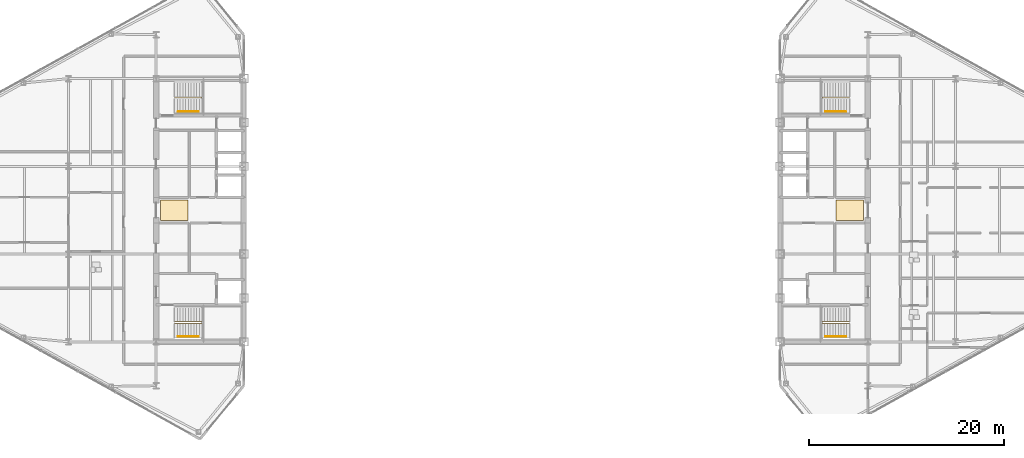
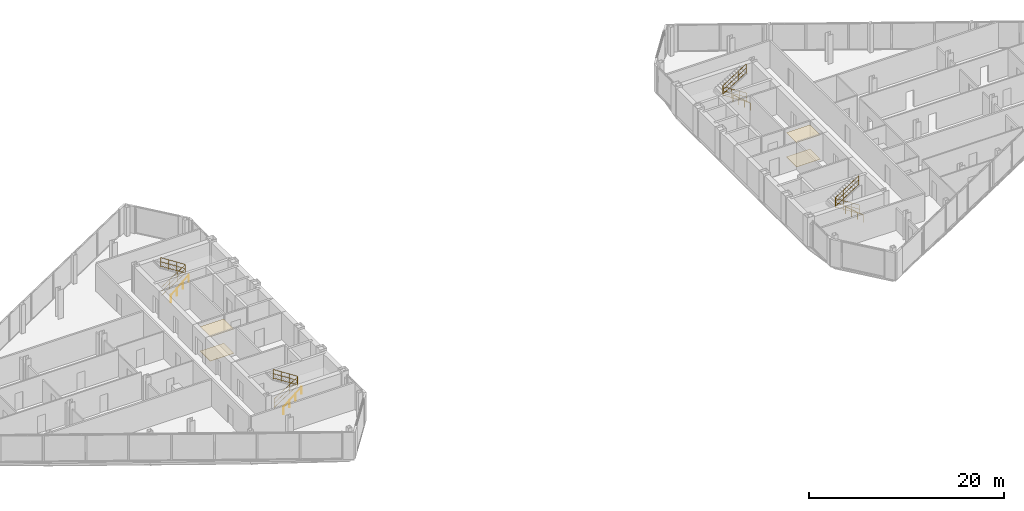
# One storey, part 25 of 26: 8 railings, 4 coverings.
"""IFC4 building model written with IfcOpenShell, lengths in metres."""

from ifc_helpers import new_model, si_unit, direction, frame, origin, origin_2d, place, context, subcontext, project, spatial, polyline, circle, outline, extrude, material, layer, layer_set, type_object, element, save


model = new_model("IFC4")

# Units and contexts
model_context = context("Model", 3, precision=1e-05, world=origin(), true_north=direction((0.0, 1.0)))
body_context = subcontext(model_context, "Body", "Model", "MODEL_VIEW")
ifc_project = project(units=[si_unit("LENGTHUNIT", "METRE"), si_unit("AREAUNIT", "SQUARE_METRE"), si_unit("VOLUMEUNIT", "CUBIC_METRE"), si_unit("PLANEANGLEUNIT", "RADIAN"), si_unit("MASSUNIT", "GRAM", prefix="KILO")], contexts=[model_context])

# Site, building, storey
site_placement = place(None, origin())
site = spatial("IfcSite", under=ifc_project, at=site_placement, CompositionType="ELEMENT")
building_placement = place(site_placement, origin())
building = spatial("IfcBuilding", under=site, at=building_placement, Name="Seokmaru Belvedere", CompositionType="ELEMENT")
storey_placement = place(building_placement, frame((0.0, 0.0, 174.300048828125)))
storey = spatial("IfcBuildingStorey", under=building, at=storey_placement, Name="L46", CompositionType="ELEMENT", Elevation=174.300048828125)

# Coverings
ifc_material_1 = material(Name="Engineered White Oak Timber", Category="wood")
ifc_layer_1 = layer(ifc_material_1, 0.02197265625)
ifc_layer_set_1 = layer_set([ifc_layer_1], Name="Engineered White Oak Timber")
covering_type_1 = type_object("IfcCoveringType", Name="Engineered Oak Residence Floor Finish 22", PredefinedType="FLOORING", material=ifc_layer_set_1)
covering_1_placement = place(storey_placement, origin())
element("IfcCovering", 1, at=covering_1_placement, inside=storey, type_object=covering_type_1, Name="L46 W Foyer Floor Finish", PredefinedType="FLOORING", context=body_context, shape_type="SweptSolid", body=[
    extrude(outline(polyline([(-36.050048828125, -1.050048828125), (-33.25, -1.050048828125), (-33.25, 1.050048828125), (-36.050048828125, 1.050048828125), (-36.050048828125, -1.050048828125)])), origin(), (0.0, 0.0, 1.0), 0.02197265625),
])
covering_2_placement = place(storey_placement, origin())
element("IfcCovering", 2, at=covering_2_placement, inside=storey, type_object=covering_type_1, Name="L46 E Foyer Floor Finish", PredefinedType="FLOORING", context=body_context, shape_type="SweptSolid", body=[
    extrude(outline(polyline([(33.25, -1.050048828125), (36.050048828125, -1.050048828125), (36.050048828125, 1.050048828125), (33.25, 1.050048828125), (33.25, -1.050048828125)])), origin(), (0.0, 0.0, 1.0), 0.02197265625),
])
ifc_material_2 = material(Name="Fire-Rated Gypsum Shaftwall")
ifc_layer_2 = layer(ifc_material_2, 0.02490234375)
ifc_layer_set_2 = layer_set([ifc_layer_2], Name="Fire-Rated Gypsum Shaftwall")
covering_type_2 = type_object("IfcCoveringType", Name="Perforated Acoustic Gypsum Suspended Ceiling 25", PredefinedType="CEILING", material=ifc_layer_set_2)
covering_3_placement = place(storey_placement, frame((0.0, 0.0, 3.030029296875)))
element("IfcCovering", 3, at=covering_3_placement, inside=storey, type_object=covering_type_2, Name="L46 W Lift Foyer Acoustic Ceiling", PredefinedType="CEILING", context=body_context, shape_type="SweptSolid", body=[
    extrude(outline(polyline([(-36.050048828125, -1.050048828125), (-33.25, -1.050048828125), (-33.25, 1.050048828125), (-36.050048828125, 1.050048828125), (-36.050048828125, -1.050048828125)])), origin(), (0.0, 0.0, 1.0), 0.02490234375),
])
covering_4_placement = place(storey_placement, frame((0.0, 0.0, 3.030029296875)))
element("IfcCovering", 4, at=covering_4_placement, inside=storey, type_object=covering_type_2, Name="L46 E Lift Foyer Acoustic Ceiling", PredefinedType="CEILING", context=body_context, shape_type="SweptSolid", body=[
    extrude(outline(polyline([(33.25, -1.050048828125), (36.050048828125, -1.050048828125), (36.050048828125, 1.050048828125), (33.25, 1.050048828125), (33.25, -1.050048828125)])), origin(), (0.0, 0.0, 1.0), 0.02490234375),
])

# Railings
ifc_material_3 = material(Name="Stainless Steel 316", Category="steel")
railing_type_1 = type_object("IfcRailingType", Name="Stainless Steel Wall and Flight Handrail 900", PredefinedType="HANDRAIL", material=ifc_material_3)
for number, where, name in (
    (5, (-34.25, -12.949951171875, 0.0), "L46 Stair ST-W1 Wall Handrail"),
    (6, (-34.25, 10.110107421875, 0.0), "L46 Stair ST-W2 Wall Handrail"),
):
    element("IfcRailing", number, at=place(storey_placement, frame(where)), inside=storey, type_object=railing_type_1, Name=name, PredefinedType="HANDRAIL", context=body_context, shape_type="SweptSolid", body=[
        extrude(circle(Radius=0.02392578125, at=origin_2d()), frame((0.0, 0.0, 0.8759765625), z_axis=(0.759262832861, 0.0, 0.650784104474), x_axis=(0.0, 1.0, 0.0)), (0.0, 0.0, 1.0), 2.765869140625),
        extrude(circle(Radius=0.02099609375, at=origin_2d()), origin(), (0.0, 0.0, 1.0), 0.851806640625),
        extrude(circle(Radius=0.02099609375, at=origin_2d()), frame((0.699951171875, 0.0, 0.60009765625)), (0.0, 0.0, 1.0), 0.851806640625),
        extrude(circle(Radius=0.02099609375, at=origin_2d()), frame((1.400146484375, 0.0, 1.199951171875)), (0.0, 0.0, 1.0), 0.851806640625),
        extrude(circle(Radius=0.02099609375, at=origin_2d()), frame((2.10009765625, 0.0, 1.800048828125)), (0.0, 0.0, 1.0), 0.851806640625),
    ])
for number, where, name in (
    (7, (34.25, -12.949951171875, 0.0), "L46 Stair ST-E1 Wall Handrail"),
    (8, (34.25, 10.110107421875, 0.0), "L46 Stair ST-E2 Wall Handrail"),
):
    element("IfcRailing", number, at=place(storey_placement, frame(where)), inside=storey, type_object=railing_type_1, Name=name, PredefinedType="HANDRAIL", context=body_context, shape_type="SweptSolid", body=[
        extrude(circle(Radius=0.02392578125, at=origin_2d()), frame((0.0, 0.0, 0.8759765625), z_axis=(-0.759262832861, 0.0, 0.650784104474), x_axis=(0.0, -1.0, 0.0)), (0.0, 0.0, 1.0), 2.765869140625),
        extrude(circle(Radius=0.02099609375, at=origin_2d()), origin(), (0.0, 0.0, 1.0), 0.851806640625),
        extrude(circle(Radius=0.02099609375, at=origin_2d()), frame((-0.699951171875, 0.0, 0.60009765625)), (0.0, 0.0, 1.0), 0.851806640625),
        extrude(circle(Radius=0.02099609375, at=origin_2d()), frame((-1.400146484375, 0.0, 1.199951171875)), (0.0, 0.0, 1.0), 0.851806640625),
        extrude(circle(Radius=0.02099609375, at=origin_2d()), frame((-2.10009765625, 0.0, 1.800048828125)), (0.0, 0.0, 1.0), 0.851806640625),
    ])
railing_type_2 = type_object("IfcRailingType", Name="Stair Well and Atrium Steel Guardrail 1200", PredefinedType="GUARDRAIL", material=ifc_material_3)
railing_1_placement = place(storey_placement, frame((-34.60009765625, -11.60009765625, 0.0)))
element("IfcRailing", 9, at=railing_1_placement, inside=storey, type_object=railing_type_2, Name="L46 Stair ST-W1 Inner Well Guardrail", PredefinedType="GUARDRAIL", context=body_context, shape_type="SweptSolid", body=[
    extrude(circle(Radius=0.02392578125, at=origin_2d()), frame((0.0, 0.0, 1.17578125), z_axis=(0.841176092368, 0.0, 0.540761298198), x_axis=(0.0, 1.0, 0.0)), (0.0, 0.0, 1.0), 3.32861328125),
    extrude(circle(Radius=0.02392578125, at=origin_2d()), frame((0.0, 0.0, 0.1201171875), z_axis=(0.841176092368, 0.0, 0.540761298198), x_axis=(0.0, 1.0, 0.0)), (0.0, 0.0, 1.0), 3.32861328125),
    extrude(circle(Radius=0.02392578125, at=origin_2d()), frame((0.0, 0.0, 0.659912109375), z_axis=(0.841176092368, 0.0, 0.540761298198), x_axis=(0.0, 1.0, 0.0)), (0.0, 0.0, 1.0), 3.32861328125),
    extrude(circle(Radius=0.02392578125, at=origin_2d()), frame((2.800048828125, 0.0, 2.97607421875), z_axis=(0.0, 1.0, 0.0), x_axis=(-1.0, 0.0, 0.0)), (0.0, 0.0, 1.0), 0.14013671875),
    extrude(circle(Radius=0.02392578125, at=origin_2d()), frame((2.800048828125, 0.0, 1.920166015625), z_axis=(0.0, 1.0, 0.0), x_axis=(-1.0, 0.0, 0.0)), (0.0, 0.0, 1.0), 0.14013671875),
    extrude(circle(Radius=0.02392578125, at=origin_2d()), frame((2.800048828125, 0.0, 2.4599609375), z_axis=(0.0, 1.0, 0.0), x_axis=(-1.0, 0.0, 0.0)), (0.0, 0.0, 1.0), 0.14013671875),
    extrude(circle(Radius=0.02392578125, at=origin_2d()), frame((2.800048828125, 0.14013671875, 2.97607421875), z_axis=(-0.841209454229, 0.0, 0.540709398952), x_axis=(0.0, -1.0, 0.0)), (0.0, 0.0, 1.0), 3.32861328125),
    extrude(circle(Radius=0.02392578125, at=origin_2d()), frame((2.800048828125, 0.14013671875, 1.920166015625), z_axis=(-0.841209454229, 0.0, 0.540709398952), x_axis=(0.0, -1.0, 0.0)), (0.0, 0.0, 1.0), 3.32861328125),
    extrude(circle(Radius=0.02392578125, at=origin_2d()), frame((2.800048828125, 0.14013671875, 2.4599609375), z_axis=(-0.841209454229, 0.0, 0.540709398952), x_axis=(0.0, -1.0, 0.0)), (0.0, 0.0, 1.0), 3.32861328125),
    extrude(circle(Radius=0.02099609375, at=origin_2d()), origin(), (0.0, 0.0, 1.0), 1.15185546875),
    extrude(circle(Radius=0.02099609375, at=origin_2d()), frame((0.933349609375, 0.0, 0.60009765625)), (0.0, 0.0, 1.0), 1.15185546875),
    extrude(circle(Radius=0.02099609375, at=origin_2d()), frame((1.86669921875, 0.0, 1.199951171875)), (0.0, 0.0, 1.0), 1.15185546875),
    extrude(circle(Radius=0.02099609375, at=origin_2d()), frame((2.800048828125, 0.0, 1.800048828125)), (0.0, 0.0, 1.0), 1.15185546875),
    extrude(circle(Radius=0.02099609375, at=origin_2d()), frame((2.800048828125, 0.14013671875, 1.800048828125)), (0.0, 0.0, 1.0), 1.15185546875),
    extrude(circle(Radius=0.02099609375, at=origin_2d()), frame((1.86669921875, 0.14013671875, 2.39990234375)), (0.0, 0.0, 1.0), 1.15185546875),
    extrude(circle(Radius=0.02099609375, at=origin_2d()), frame((0.933349609375, 0.14013671875, 3.0)), (0.0, 0.0, 1.0), 1.15185546875),
    extrude(circle(Radius=0.02099609375, at=origin_2d()), frame((0.0, 0.14013671875, 3.599853515625)), (0.0, 0.0, 1.0), 1.15185546875),
])
railing_2_placement = place(storey_placement, frame((-34.60009765625, 11.4599609375, 0.0)))
element("IfcRailing", 10, at=railing_2_placement, inside=storey, type_object=railing_type_2, Name="L46 Stair ST-W2 Inner Well Guardrail", PredefinedType="GUARDRAIL", context=body_context, shape_type="SweptSolid", body=[
    extrude(circle(Radius=0.02392578125, at=origin_2d()), frame((0.0, 0.0, 1.17578125), z_axis=(0.841176092368, 0.0, 0.540761298198), x_axis=(0.0, 1.0, 0.0)), (0.0, 0.0, 1.0), 3.32861328125),
    extrude(circle(Radius=0.02392578125, at=origin_2d()), frame((0.0, 0.0, 0.1201171875), z_axis=(0.841176092368, 0.0, 0.540761298198), x_axis=(0.0, 1.0, 0.0)), (0.0, 0.0, 1.0), 3.32861328125),
    extrude(circle(Radius=0.02392578125, at=origin_2d()), frame((0.0, 0.0, 0.659912109375), z_axis=(0.841176092368, 0.0, 0.540761298198), x_axis=(0.0, 1.0, 0.0)), (0.0, 0.0, 1.0), 3.32861328125),
    extrude(circle(Radius=0.02392578125, at=origin_2d()), frame((2.800048828125, 0.0, 2.97607421875), z_axis=(0.0, 1.0, 0.0), x_axis=(-1.0, 0.0, 0.0)), (0.0, 0.0, 1.0), 0.14013671875),
    extrude(circle(Radius=0.02392578125, at=origin_2d()), frame((2.800048828125, 0.0, 1.920166015625), z_axis=(0.0, 1.0, 0.0), x_axis=(-1.0, 0.0, 0.0)), (0.0, 0.0, 1.0), 0.14013671875),
    extrude(circle(Radius=0.02392578125, at=origin_2d()), frame((2.800048828125, 0.0, 2.4599609375), z_axis=(0.0, 1.0, 0.0), x_axis=(-1.0, 0.0, 0.0)), (0.0, 0.0, 1.0), 0.14013671875),
    extrude(circle(Radius=0.02392578125, at=origin_2d()), frame((2.800048828125, 0.14013671875, 2.97607421875), z_axis=(-0.841209454229, 0.0, 0.540709398952), x_axis=(0.0, -1.0, 0.0)), (0.0, 0.0, 1.0), 3.32861328125),
    extrude(circle(Radius=0.02392578125, at=origin_2d()), frame((2.800048828125, 0.14013671875, 1.920166015625), z_axis=(-0.841209454229, 0.0, 0.540709398952), x_axis=(0.0, -1.0, 0.0)), (0.0, 0.0, 1.0), 3.32861328125),
    extrude(circle(Radius=0.02392578125, at=origin_2d()), frame((2.800048828125, 0.14013671875, 2.4599609375), z_axis=(-0.841209454229, 0.0, 0.540709398952), x_axis=(0.0, -1.0, 0.0)), (0.0, 0.0, 1.0), 3.32861328125),
    extrude(circle(Radius=0.02099609375, at=origin_2d()), origin(), (0.0, 0.0, 1.0), 1.15185546875),
    extrude(circle(Radius=0.02099609375, at=origin_2d()), frame((0.933349609375, 0.0, 0.60009765625)), (0.0, 0.0, 1.0), 1.15185546875),
    extrude(circle(Radius=0.02099609375, at=origin_2d()), frame((1.86669921875, 0.0, 1.199951171875)), (0.0, 0.0, 1.0), 1.15185546875),
    extrude(circle(Radius=0.02099609375, at=origin_2d()), frame((2.800048828125, 0.0, 1.800048828125)), (0.0, 0.0, 1.0), 1.15185546875),
    extrude(circle(Radius=0.02099609375, at=origin_2d()), frame((2.800048828125, 0.14013671875, 1.800048828125)), (0.0, 0.0, 1.0), 1.15185546875),
    extrude(circle(Radius=0.02099609375, at=origin_2d()), frame((1.86669921875, 0.14013671875, 2.39990234375)), (0.0, 0.0, 1.0), 1.15185546875),
    extrude(circle(Radius=0.02099609375, at=origin_2d()), frame((0.933349609375, 0.14013671875, 3.0)), (0.0, 0.0, 1.0), 1.15185546875),
    extrude(circle(Radius=0.02099609375, at=origin_2d()), frame((0.0, 0.14013671875, 3.599853515625)), (0.0, 0.0, 1.0), 1.15185546875),
])
railing_3_placement = place(storey_placement, frame((34.60009765625, -11.60009765625, 0.0)))
element("IfcRailing", 11, at=railing_3_placement, inside=storey, type_object=railing_type_2, Name="L46 Stair ST-E1 Inner Well Guardrail", PredefinedType="GUARDRAIL", context=body_context, shape_type="SweptSolid", body=[
    extrude(circle(Radius=0.02392578125, at=origin_2d()), frame((0.0, 0.0, 1.17578125), z_axis=(-0.841176092368, 0.0, 0.540761298198), x_axis=(0.0, -1.0, 0.0)), (0.0, 0.0, 1.0), 3.32861328125),
    extrude(circle(Radius=0.02392578125, at=origin_2d()), frame((0.0, 0.0, 0.1201171875), z_axis=(-0.841176092368, 0.0, 0.540761298198), x_axis=(0.0, -1.0, 0.0)), (0.0, 0.0, 1.0), 3.32861328125),
    extrude(circle(Radius=0.02392578125, at=origin_2d()), frame((0.0, 0.0, 0.659912109375), z_axis=(-0.841176092368, 0.0, 0.540761298198), x_axis=(0.0, -1.0, 0.0)), (0.0, 0.0, 1.0), 3.32861328125),
    extrude(circle(Radius=0.02392578125, at=origin_2d()), frame((-2.800048828125, 0.0, 2.97607421875), z_axis=(0.0, 1.0, 0.0), x_axis=(-1.0, 0.0, 0.0)), (0.0, 0.0, 1.0), 0.14013671875),
    extrude(circle(Radius=0.02392578125, at=origin_2d()), frame((-2.800048828125, 0.0, 1.920166015625), z_axis=(0.0, 1.0, 0.0), x_axis=(-1.0, 0.0, 0.0)), (0.0, 0.0, 1.0), 0.14013671875),
    extrude(circle(Radius=0.02392578125, at=origin_2d()), frame((-2.800048828125, 0.0, 2.4599609375), z_axis=(0.0, 1.0, 0.0), x_axis=(-1.0, 0.0, 0.0)), (0.0, 0.0, 1.0), 0.14013671875),
    extrude(circle(Radius=0.02392578125, at=origin_2d()), frame((-2.800048828125, 0.14013671875, 2.97607421875), z_axis=(0.841209454229, 0.0, 0.540709398952), x_axis=(0.0, 1.0, 0.0)), (0.0, 0.0, 1.0), 3.32861328125),
    extrude(circle(Radius=0.02392578125, at=origin_2d()), frame((-2.800048828125, 0.14013671875, 1.920166015625), z_axis=(0.841209454229, 0.0, 0.540709398952), x_axis=(0.0, 1.0, 0.0)), (0.0, 0.0, 1.0), 3.32861328125),
    extrude(circle(Radius=0.02392578125, at=origin_2d()), frame((-2.800048828125, 0.14013671875, 2.4599609375), z_axis=(0.841209454229, 0.0, 0.540709398952), x_axis=(0.0, 1.0, 0.0)), (0.0, 0.0, 1.0), 3.32861328125),
    extrude(circle(Radius=0.02099609375, at=origin_2d()), origin(), (0.0, 0.0, 1.0), 1.15185546875),
    extrude(circle(Radius=0.02099609375, at=origin_2d()), frame((-0.933349609375, 0.0, 0.60009765625)), (0.0, 0.0, 1.0), 1.15185546875),
    extrude(circle(Radius=0.02099609375, at=origin_2d()), frame((-1.86669921875, 0.0, 1.199951171875)), (0.0, 0.0, 1.0), 1.15185546875),
    extrude(circle(Radius=0.02099609375, at=origin_2d()), frame((-2.800048828125, 0.0, 1.800048828125)), (0.0, 0.0, 1.0), 1.15185546875),
    extrude(circle(Radius=0.02099609375, at=origin_2d()), frame((-2.800048828125, 0.14013671875, 1.800048828125)), (0.0, 0.0, 1.0), 1.15185546875),
    extrude(circle(Radius=0.02099609375, at=origin_2d()), frame((-1.86669921875, 0.14013671875, 2.39990234375)), (0.0, 0.0, 1.0), 1.15185546875),
    extrude(circle(Radius=0.02099609375, at=origin_2d()), frame((-0.933349609375, 0.14013671875, 3.0)), (0.0, 0.0, 1.0), 1.15185546875),
    extrude(circle(Radius=0.02099609375, at=origin_2d()), frame((0.0, 0.14013671875, 3.599853515625)), (0.0, 0.0, 1.0), 1.15185546875),
])
railing_4_placement = place(storey_placement, frame((34.60009765625, 11.4599609375, 0.0)))
element("IfcRailing", 12, at=railing_4_placement, inside=storey, type_object=railing_type_2, Name="L46 Stair ST-E2 Inner Well Guardrail", PredefinedType="GUARDRAIL", context=body_context, shape_type="SweptSolid", body=[
    extrude(circle(Radius=0.02392578125, at=origin_2d()), frame((0.0, 0.0, 1.17578125), z_axis=(-0.841176092368, 0.0, 0.540761298198), x_axis=(0.0, -1.0, 0.0)), (0.0, 0.0, 1.0), 3.32861328125),
    extrude(circle(Radius=0.02392578125, at=origin_2d()), frame((0.0, 0.0, 0.1201171875), z_axis=(-0.841176092368, 0.0, 0.540761298198), x_axis=(0.0, -1.0, 0.0)), (0.0, 0.0, 1.0), 3.32861328125),
    extrude(circle(Radius=0.02392578125, at=origin_2d()), frame((0.0, 0.0, 0.659912109375), z_axis=(-0.841176092368, 0.0, 0.540761298198), x_axis=(0.0, -1.0, 0.0)), (0.0, 0.0, 1.0), 3.32861328125),
    extrude(circle(Radius=0.02392578125, at=origin_2d()), frame((-2.800048828125, 0.0, 2.97607421875), z_axis=(0.0, 1.0, 0.0), x_axis=(-1.0, 0.0, 0.0)), (0.0, 0.0, 1.0), 0.14013671875),
    extrude(circle(Radius=0.02392578125, at=origin_2d()), frame((-2.800048828125, 0.0, 1.920166015625), z_axis=(0.0, 1.0, 0.0), x_axis=(-1.0, 0.0, 0.0)), (0.0, 0.0, 1.0), 0.14013671875),
    extrude(circle(Radius=0.02392578125, at=origin_2d()), frame((-2.800048828125, 0.0, 2.4599609375), z_axis=(0.0, 1.0, 0.0), x_axis=(-1.0, 0.0, 0.0)), (0.0, 0.0, 1.0), 0.14013671875),
    extrude(circle(Radius=0.02392578125, at=origin_2d()), frame((-2.800048828125, 0.14013671875, 2.97607421875), z_axis=(0.841209454229, 0.0, 0.540709398952), x_axis=(0.0, 1.0, 0.0)), (0.0, 0.0, 1.0), 3.32861328125),
    extrude(circle(Radius=0.02392578125, at=origin_2d()), frame((-2.800048828125, 0.14013671875, 1.920166015625), z_axis=(0.841209454229, 0.0, 0.540709398952), x_axis=(0.0, 1.0, 0.0)), (0.0, 0.0, 1.0), 3.32861328125),
    extrude(circle(Radius=0.02392578125, at=origin_2d()), frame((-2.800048828125, 0.14013671875, 2.4599609375), z_axis=(0.841209454229, 0.0, 0.540709398952), x_axis=(0.0, 1.0, 0.0)), (0.0, 0.0, 1.0), 3.32861328125),
    extrude(circle(Radius=0.02099609375, at=origin_2d()), origin(), (0.0, 0.0, 1.0), 1.15185546875),
    extrude(circle(Radius=0.02099609375, at=origin_2d()), frame((-0.933349609375, 0.0, 0.60009765625)), (0.0, 0.0, 1.0), 1.15185546875),
    extrude(circle(Radius=0.02099609375, at=origin_2d()), frame((-1.86669921875, 0.0, 1.199951171875)), (0.0, 0.0, 1.0), 1.15185546875),
    extrude(circle(Radius=0.02099609375, at=origin_2d()), frame((-2.800048828125, 0.0, 1.800048828125)), (0.0, 0.0, 1.0), 1.15185546875),
    extrude(circle(Radius=0.02099609375, at=origin_2d()), frame((-2.800048828125, 0.14013671875, 1.800048828125)), (0.0, 0.0, 1.0), 1.15185546875),
    extrude(circle(Radius=0.02099609375, at=origin_2d()), frame((-1.86669921875, 0.14013671875, 2.39990234375)), (0.0, 0.0, 1.0), 1.15185546875),
    extrude(circle(Radius=0.02099609375, at=origin_2d()), frame((-0.933349609375, 0.14013671875, 3.0)), (0.0, 0.0, 1.0), 1.15185546875),
    extrude(circle(Radius=0.02099609375, at=origin_2d()), frame((0.0, 0.14013671875, 3.599853515625)), (0.0, 0.0, 1.0), 1.15185546875),
])

save(model, "model.ifc")
